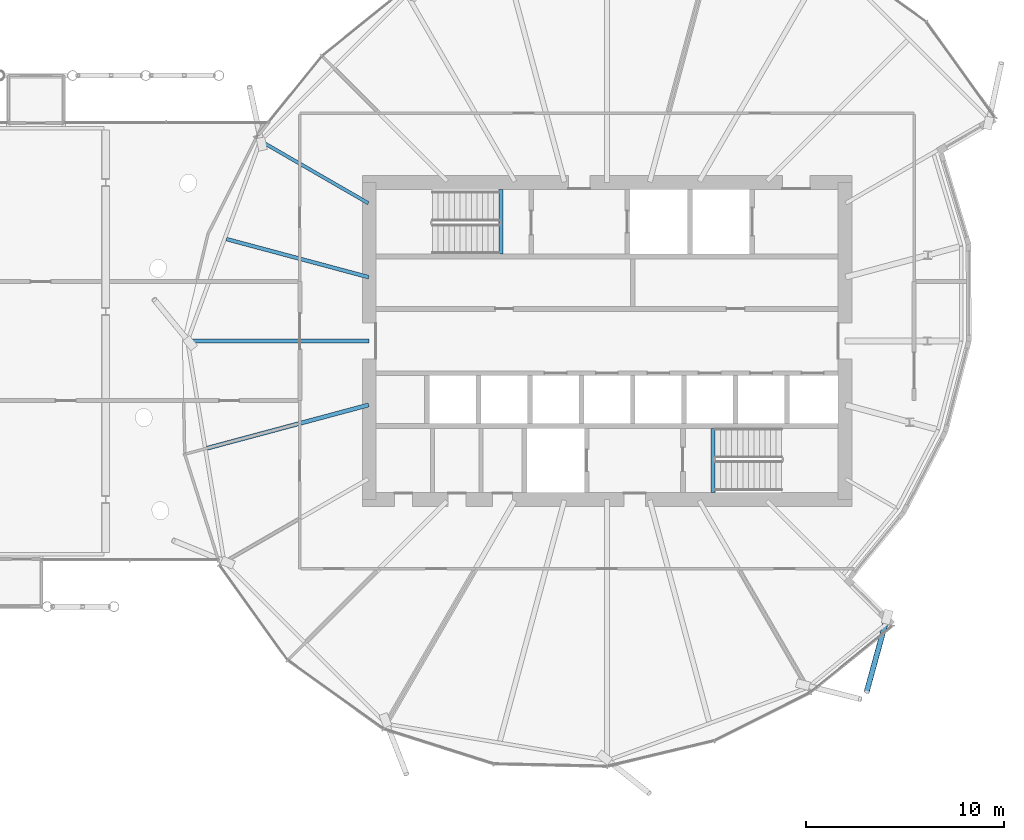
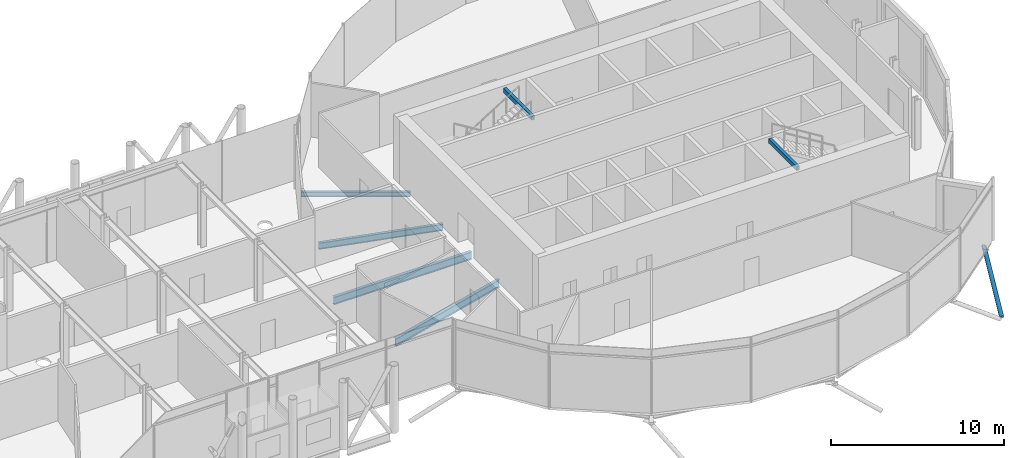
# One storey, part 13 of 36: 6 beams, 1 member.
"""IFC4 building model written with IfcOpenShell, lengths in metres."""

from ifc_helpers import new_model, si_unit, direction, frame, origin, origin_2d, place, context, subcontext, project, spatial, hollow_rectangle, hollow_circle, i_section, extrude, clip, halfspace, material, material_profile, profile_set, type_object, element, save


model = new_model("IFC4")

# Units and contexts
model_context = context("Model", 3, precision=1e-05, world=origin(), true_north=direction((0.0, 1.0)))
body_context = subcontext(model_context, "Body", "Model", "MODEL_VIEW")
ifc_project = project(units=[si_unit("LENGTHUNIT", "METRE"), si_unit("AREAUNIT", "SQUARE_METRE"), si_unit("VOLUMEUNIT", "CUBIC_METRE"), si_unit("PLANEANGLEUNIT", "RADIAN"), si_unit("MASSUNIT", "GRAM", prefix="KILO")], contexts=[model_context])

# Site, building, storey
site_placement = place(None, origin())
site = spatial("IfcSite", under=ifc_project, at=site_placement, CompositionType="ELEMENT")
building_placement = place(site_placement, origin())
building = spatial("IfcBuilding", under=site, at=building_placement, Name="Rimbun Link Towers", CompositionType="ELEMENT")
storey_placement = place(building_placement, frame((0.0, 0.0, 154.39990234375)))
storey = spatial("IfcBuildingStorey", under=building, at=storey_placement, Name="L37", CompositionType="ELEMENT", Elevation=154.39990234375)

# Member
ifc_material_1 = material(Name="Steel S355J2H", Category="steel")
ifc_material_profile_1 = material_profile(ifc_material_1, hollow_circle(Radius=0.136474609375, WallThickness=0.012451171875, at=origin_2d()), Name="CHS 273x12.5")
ifc_profile_set_1 = profile_set([ifc_material_profile_1], Name="Steel S355J2H")
member_type = type_object("IfcMemberType", Name="Floor edge link CHS 273x12.5", PredefinedType="BRACE", material=ifc_profile_set_1)
member_placement = place(storey_placement, frame((45.838134765625, -14.088134765625, -0.75244140625), z_axis=(-0.229245700493, -0.838158418254, -0.494910976556), x_axis=(0.964571621918, -0.26382112537, 0.0)))
element("IfcMember", 1, at=member_placement, inside=storey, type_object=member_type, Name="Floor edge link T2 L37 18", PredefinedType="BRACE", context=body_context, shape_type="Clipping", body=[
    clip(extrude(hollow_circle(Radius=0.136474609375, WallThickness=0.012451171875, at=origin_2d()), frame((0.0, 0.0, -0.49951171875)), (0.0, 0.0, 1.0), 4.8232421875), halfspace(frame((0.0, 0.0, -0.236572265625), z_axis=(0.0, 0.868943683609, -0.494910976556)), False)),
])

# Beams
ifc_material_2 = material(Name="Steel S355J2", Category="steel")
ifc_material_profile_2 = material_profile(ifc_material_2, hollow_rectangle(XDim=0.199951171875, YDim=0.300048828125, WallThickness=0.011962890625, at=origin_2d()), Name="BOX 300x200x12")
ifc_profile_set_2 = profile_set([ifc_material_profile_2], Name="Steel S355J2")
beam_type_1 = type_object("IfcBeamType", Name="Stair trimmer beam BOX 300x200x12", PredefinedType="BEAM", material=ifc_profile_set_2)
for number, where, z_axis, x_axis, name in (
    (2, (26.39990234375, 7.64990234375, 4.2001953125), (0.0, -1.0, 0.0), (1.0, 0.0, 0.0), "L37 ST3 stair beam 1"),
    (3, (37.10009765625, -7.64990234375, 4.2001953125), (0.0, 1.0, 0.0), (-1.0, 0.0, 0.0), "L37 ST4 stair beam 1"),
):
    element("IfcBeam", number, at=place(storey_placement, frame(where, z_axis=z_axis, x_axis=x_axis)), inside=storey, type_object=beam_type_1, Name=name, PredefinedType="BEAM", context=body_context, shape_type="SweptSolid", body=[
        extrude(hollow_rectangle(XDim=0.199951171875, YDim=0.300048828125, WallThickness=0.011962890625, at=origin_2d()), origin(), (0.0, 0.0, 1.0), 3.25),
    ])
ifc_material_3 = material(Name="Steel S355J2", Category="steel")
ifc_material_profile_3 = material_profile(ifc_material_3, i_section(OverallWidth=0.17138671875, OverallDepth=0.35498046875, WebThickness=0.00732421875, FlangeThickness=0.011474609375, at=origin_2d()), Name="UB 356x171x51")
ifc_profile_set_3 = profile_set([ifc_material_profile_3], Name="Steel S355J2")
beam_type_2 = type_object("IfcBeamType", Name="UB 356x171x51", PredefinedType="BEAM", material=ifc_profile_set_3)
beam_1_placement = place(storey_placement, frame((19.706298828125, 6.95361328125, -0.357421875), z_axis=(-0.866029291668, 0.499993265928, 0.0), x_axis=(-0.499993265928, -0.866029291668, 0.0)))
element("IfcBeam", 4, at=beam_1_placement, inside=storey, type_object=beam_type_2, Name="Radial beam T2 L37 07", PredefinedType="BEAM", context=body_context, shape_type="SweptSolid", body=[
    extrude(i_section(OverallWidth=0.17138671875, OverallDepth=0.35498046875, WebThickness=0.00732421875, FlangeThickness=0.011474609375, at=origin_2d()), origin(), (0.0, 0.0, 1.0), 6.294921875),
])
ifc_material_4 = material(Name="Steel S355J2", Category="steel")
ifc_material_profile_4 = material_profile(ifc_material_4, i_section(OverallWidth=0.18994140625, OverallDepth=0.453369140625, WebThickness=0.008544921875, FlangeThickness=0.0126953125, at=origin_2d()), Name="UB 457x191x67")
ifc_profile_set_4 = profile_set([ifc_material_profile_4], Name="Steel S355J2")
beam_type_3 = type_object("IfcBeamType", Name="UB 457x191x67", PredefinedType="BEAM", material=ifc_profile_set_4)
beam_2_placement = place(storey_placement, frame((19.724609375, 3.22216796875, -0.406494140625), z_axis=(-0.96592620408, 0.258817635162, 0.0), x_axis=(-0.258817635162, -0.96592620408, 0.0)))
element("IfcBeam", 5, at=beam_2_placement, inside=storey, type_object=beam_type_3, Name="Radial beam T2 L37 08", PredefinedType="BEAM", context=body_context, shape_type="SweptSolid", body=[
    extrude(i_section(OverallWidth=0.18994140625, OverallDepth=0.453369140625, WebThickness=0.008544921875, FlangeThickness=0.0126953125, at=origin_2d()), origin(), (0.0, 0.0, 1.0), 7.43212890625),
])
ifc_material_5 = material(Name="Steel S355J2", Category="steel")
ifc_material_profile_5 = material_profile(ifc_material_5, i_section(OverallWidth=0.209228515625, OverallDepth=0.533203125, WebThickness=0.010009765625, FlangeThickness=0.015625, at=origin_2d()), Name="UB 533x210x92")
ifc_profile_set_5 = profile_set([ifc_material_profile_5], Name="Steel S355J2")
beam_type_4 = type_object("IfcBeamType", Name="UB 533x210x92", PredefinedType="BEAM", material=ifc_profile_set_5)
beam_3_placement = place(storey_placement, frame((19.7490234375, 0.0, -0.4462890625), z_axis=(-1.0, 0.0, 0.0), x_axis=(0.0, -1.0, 0.0)))
element("IfcBeam", 6, at=beam_3_placement, inside=storey, type_object=beam_type_4, Name="Radial beam T2 L37 09", PredefinedType="BEAM", context=body_context, shape_type="SweptSolid", body=[
    extrude(i_section(OverallWidth=0.209228515625, OverallDepth=0.533203125, WebThickness=0.010009765625, FlangeThickness=0.015625, at=origin_2d()), origin(), (0.0, 0.0, 1.0), 9.17333984375),
])
beam_4_placement = place(storey_placement, frame((19.721923828125, -3.222900390625, -0.4462890625), z_axis=(-0.965926107703, -0.258817994849, 0.0), x_axis=(0.258817994849, -0.965926107703, 0.0)))
element("IfcBeam", 7, at=beam_4_placement, inside=storey, type_object=beam_type_4, Name="Radial beam T2 L37 10", PredefinedType="BEAM", context=body_context, shape_type="SweptSolid", body=[
    extrude(i_section(OverallWidth=0.209228515625, OverallDepth=0.533203125, WebThickness=0.010009765625, FlangeThickness=0.015625, at=origin_2d()), origin(), (0.0, 0.0, 1.0), 8.4423828125),
])

save(model, "model.ifc")
